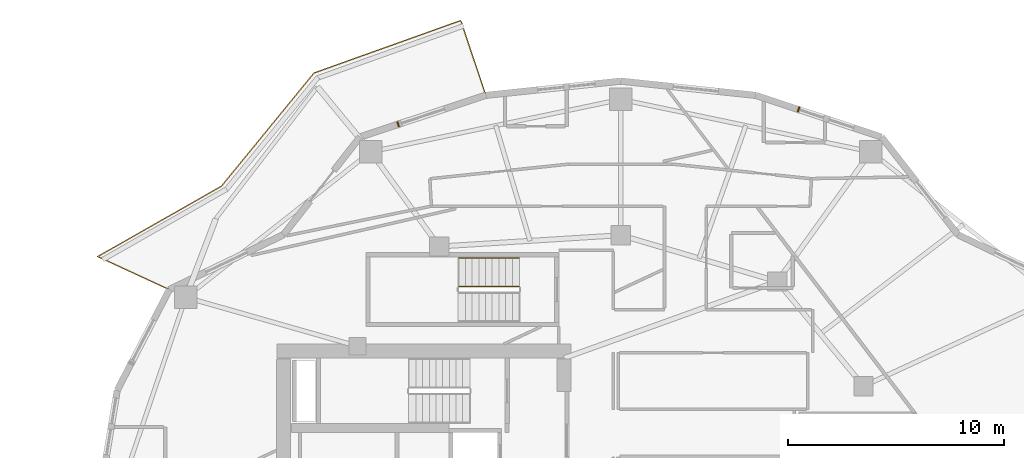
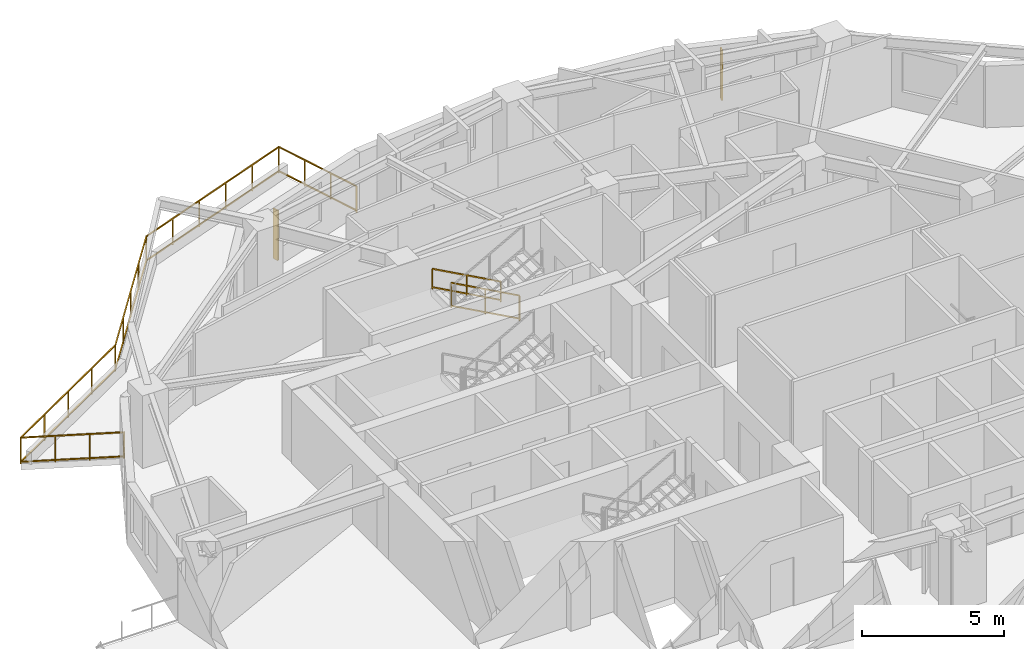
# One storey, part 14 of 14: 3 railings, 2 shading devices.
"""IFC4 building model written with IfcOpenShell, lengths in metres."""

from ifc_helpers import new_model, si_unit, direction, frame, origin, origin_2d, place, context, subcontext, project, spatial, rectangle, extrude, material, type_object, element, save


model = new_model("IFC4")

# Units and contexts
model_context = context("Model", 3, precision=1e-05, world=origin(), true_north=direction((0.0, 1.0)))
body_context = subcontext(model_context, "Body", "Model", "MODEL_VIEW")
ifc_project = project(units=[si_unit("LENGTHUNIT", "METRE"), si_unit("AREAUNIT", "SQUARE_METRE"), si_unit("VOLUMEUNIT", "CUBIC_METRE"), si_unit("PLANEANGLEUNIT", "RADIAN"), si_unit("MASSUNIT", "GRAM", prefix="KILO")], contexts=[model_context])

# Site, building, storey
site_placement = place(None, origin())
site = spatial("IfcSite", under=ifc_project, at=site_placement, CompositionType="ELEMENT")
building_placement = place(site_placement, origin())
building = spatial("IfcBuilding", under=site, at=building_placement, Name="Kolvaren Gate Tower and Convention Centre", CompositionType="ELEMENT")
storey_placement = place(building_placement, frame((0.0, 0.0, 118.89990234375)))
storey = spatial("IfcBuildingStorey", under=building, at=storey_placement, Name="L29", CompositionType="ELEMENT", Elevation=118.89990234375)

# Railings
ifc_material_1 = material(Name="Brushed Stainless Steel Grade 316L", Category="steel")
railing_type_1 = type_object("IfcRailingType", Name="ARCH-RL-GUARD-1150", PredefinedType="GUARDRAIL", material=ifc_material_1)
railing_1_placement = place(storey_placement, frame((25.39990234375, 36.830078125, 0.170166015625)))
element("IfcRailing", 1, at=railing_1_placement, inside=storey, type_object=railing_type_1, Name="L29 ST-T3 stair guard 1", PredefinedType="GUARDRAIL", context=body_context, shape_type="SweptSolid", body=[
    extrude(rectangle(XDim=0.048095703125, YDim=0.048095703125, at=origin_2d()), frame((0.0, 0.0, 1.076171875), z_axis=(-0.8767936245, 0.0, 0.480866863109), x_axis=(0.0, -1.0, 0.0)), (0.0, 0.0, 1.0), 3.181884765625),
    extrude(rectangle(XDim=0.048095703125, YDim=0.048095703125, at=origin_2d()), frame((0.0, 0.0, 0.083984375), z_axis=(-0.8767936245, 0.0, 0.480866863109), x_axis=(0.0, -1.0, 0.0)), (0.0, 0.0, 1.0), 3.181884765625),
    extrude(rectangle(XDim=0.0419921875, YDim=0.0419921875, at=origin_2d()), origin(), (0.0, 0.0, 1.0), 1.050048828125),
    extrude(rectangle(XDim=0.0419921875, YDim=0.0419921875, at=origin_2d()), frame((-2.789794921875, 0.0, 1.530029296875)), (0.0, 0.0, 1.0), 1.050048828125),
    extrude(rectangle(XDim=0.0419921875, YDim=0.0419921875, at=origin_2d()), frame((-1.39501953125, 0.0, 0.76513671875)), (0.0, 0.0, 1.0), 1.050048828125),
])
railing_2_placement = place(storey_placement, frame((23.86474609375, 45.690673828125, 0.0)))
element("IfcRailing", 2, at=railing_2_placement, inside=storey, type_object=railing_type_1, Name="Tower L29 Terrace Perimeter Guardrail GR-1", PredefinedType="GUARDRAIL", context=body_context, shape_type="SweptSolid", body=[
    extrude(rectangle(XDim=0.048095703125, YDim=0.048095703125, at=origin_2d()), frame((-0.0087890625, 0.026611328125, 1.1259765625), z_axis=(-0.317588247294, 0.948228719867, 0.0), x_axis=(-0.948228719867, -0.317588247294, 0.0)), (0.0, 0.0, 1.0), 3.603759765625),
    extrude(rectangle(XDim=0.048095703125, YDim=0.048095703125, at=origin_2d()), frame((-0.0087890625, 0.026611328125, 0.083984375), z_axis=(-0.317588247294, 0.948228719867, 0.0), x_axis=(-0.948228719867, -0.317588247294, 0.0)), (0.0, 0.0, 1.0), 3.603759765625),
    extrude(rectangle(XDim=0.048095703125, YDim=0.048095703125, at=origin_2d()), frame((-1.188720703125, 3.4609375, 1.1259765625), z_axis=(-0.941628873241, -0.336652736627, 0.0), x_axis=(0.336652736627, -0.941628873241, 0.0)), (0.0, 0.0, 1.0), 7.17919921875),
    extrude(rectangle(XDim=0.048095703125, YDim=0.048095703125, at=origin_2d()), frame((-1.188720703125, 3.4609375, 0.083984375), z_axis=(-0.941628873241, -0.336652736627, 0.0), x_axis=(0.336652736627, -0.941628873241, 0.0)), (0.0, 0.0, 1.0), 7.17919921875),
    extrude(rectangle(XDim=0.048095703125, YDim=0.048095703125, at=origin_2d()), frame((-7.9931640625, 1.012939453125, 1.1259765625), z_axis=(-0.633002467947, -0.77414977593, 0.0), x_axis=(0.77414977593, -0.633002467947, 0.0)), (0.0, 0.0, 1.0), 6.724365234375),
    extrude(rectangle(XDim=0.048095703125, YDim=0.048095703125, at=origin_2d()), frame((-7.9931640625, 1.012939453125, 0.083984375), z_axis=(-0.633002467947, -0.77414977593, 0.0), x_axis=(0.77414977593, -0.633002467947, 0.0)), (0.0, 0.0, 1.0), 6.724365234375),
    extrude(rectangle(XDim=0.048095703125, YDim=0.048095703125, at=origin_2d()), frame((-12.291748046875, -4.228271484375, 1.1259765625), z_axis=(-0.869196694318, -0.494466486819, 0.0), x_axis=(0.494466486819, -0.869196694318, 0.0)), (0.0, 0.0, 1.0), 6.55029296875),
    extrude(rectangle(XDim=0.048095703125, YDim=0.048095703125, at=origin_2d()), frame((-12.291748046875, -4.228271484375, 0.083984375), z_axis=(-0.869196694318, -0.494466486819, 0.0), x_axis=(0.494466486819, -0.869196694318, 0.0)), (0.0, 0.0, 1.0), 6.55029296875),
    extrude(rectangle(XDim=0.048095703125, YDim=0.048095703125, at=origin_2d()), frame((-17.984130859375, -7.49267578125, 1.1259765625), z_axis=(0.907846116663, -0.419303503993, 0.0), x_axis=(0.419303503993, 0.907846116663, 0.0)), (0.0, 0.0, 1.0), 3.60400390625),
    extrude(rectangle(XDim=0.048095703125, YDim=0.048095703125, at=origin_2d()), frame((-17.984130859375, -7.49267578125, 0.083984375), z_axis=(0.907846116663, -0.419303503993, 0.0), x_axis=(0.419303503993, 0.907846116663, 0.0)), (0.0, 0.0, 1.0), 3.60400390625),
    extrude(rectangle(XDim=0.0419921875, YDim=0.0419921875, at=origin_2d()), origin(), (0.0, 0.0, 1.0), 1.14990234375),
    extrude(rectangle(XDim=0.0419921875, YDim=0.0419921875, at=origin_2d()), frame((-1.162353515625, 3.470458984375, 0.0)), (0.0, 0.0, 1.0), 1.14990234375),
    extrude(rectangle(XDim=0.0419921875, YDim=0.0419921875, at=origin_2d()), frame((-0.387451171875, 1.15673828125, 0.0)), (0.0, 0.0, 1.0), 1.099853515625),
    extrude(rectangle(XDim=0.0419921875, YDim=0.0419921875, at=origin_2d()), frame((-0.77490234375, 2.313720703125, 0.0)), (0.0, 0.0, 1.0), 1.099853515625),
    extrude(rectangle(XDim=0.0419921875, YDim=0.0419921875, at=origin_2d()), frame((-7.975341796875, 1.03466796875, 0.0)), (0.0, 0.0, 1.0), 1.14990234375),
    extrude(rectangle(XDim=0.0419921875, YDim=0.0419921875, at=origin_2d()), frame((-2.52490234375, 2.9833984375, 0.0)), (0.0, 0.0, 1.0), 1.099853515625),
    extrude(rectangle(XDim=0.0419921875, YDim=0.0419921875, at=origin_2d()), frame((-3.887451171875, 2.49609375, 0.0)), (0.0, 0.0, 1.0), 1.099853515625),
    extrude(rectangle(XDim=0.0419921875, YDim=0.0419921875, at=origin_2d()), frame((-5.250244140625, 2.009033203125, 0.0)), (0.0, 0.0, 1.0), 1.099853515625),
    extrude(rectangle(XDim=0.0419921875, YDim=0.0419921875, at=origin_2d()), frame((-6.61279296875, 1.521728515625, 0.0)), (0.0, 0.0, 1.0), 1.099853515625),
    extrude(rectangle(XDim=0.0419921875, YDim=0.0419921875, at=origin_2d()), frame((-12.267333984375, -4.21435546875, 0.0)), (0.0, 0.0, 1.0), 1.14990234375),
    extrude(rectangle(XDim=0.0419921875, YDim=0.0419921875, at=origin_2d()), frame((-9.04833984375, -0.277587890625, 0.0)), (0.0, 0.0, 1.0), 1.099853515625),
    extrude(rectangle(XDim=0.0419921875, YDim=0.0419921875, at=origin_2d()), frame((-10.121337890625, -1.58984375, 0.0)), (0.0, 0.0, 1.0), 1.099853515625),
    extrude(rectangle(XDim=0.0419921875, YDim=0.0419921875, at=origin_2d()), frame((-11.1943359375, -2.902099609375, 0.0)), (0.0, 0.0, 1.0), 1.099853515625),
    extrude(rectangle(XDim=0.0419921875, YDim=0.0419921875, at=origin_2d()), frame((-18.009521484375, -7.48095703125, 0.0)), (0.0, 0.0, 1.0), 1.14990234375),
    extrude(rectangle(XDim=0.0419921875, YDim=0.0419921875, at=origin_2d()), frame((-13.702880859375, -5.031005859375, 0.0)), (0.0, 0.0, 1.0), 1.099853515625),
    extrude(rectangle(XDim=0.0419921875, YDim=0.0419921875, at=origin_2d()), frame((-15.138427734375, -5.84765625, 0.0)), (0.0, 0.0, 1.0), 1.099853515625),
    extrude(rectangle(XDim=0.0419921875, YDim=0.0419921875, at=origin_2d()), frame((-16.573974609375, -6.664306640625, 0.0)), (0.0, 0.0, 1.0), 1.099853515625),
    extrude(rectangle(XDim=0.0419921875, YDim=0.0419921875, at=origin_2d()), frame((-14.686767578125, -9.015625, 0.0)), (0.0, 0.0, 1.0), 1.14990234375),
    extrude(rectangle(XDim=0.0419921875, YDim=0.0419921875, at=origin_2d()), frame((-16.90185546875, -7.992431640625, 0.0)), (0.0, 0.0, 1.0), 1.099853515625),
    extrude(rectangle(XDim=0.0419921875, YDim=0.0419921875, at=origin_2d()), frame((-15.79443359375, -8.504150390625, 0.0)), (0.0, 0.0, 1.0), 1.099853515625),
])
railing_type_2 = type_object("IfcRailingType", Name="ARCH-RL-HANDRAIL-920", PredefinedType="HANDRAIL", material=ifc_material_1)
railing_3_placement = place(storey_placement, frame((25.39990234375, 38.14990234375, 0.170166015625)))
element("IfcRailing", 3, at=railing_3_placement, inside=storey, type_object=railing_type_2, Name="L29 ST-T3 stair handrail 1", PredefinedType="HANDRAIL", context=body_context, shape_type="SweptSolid", body=[
    extrude(rectangle(XDim=0.048095703125, YDim=0.048095703125, at=origin_2d()), frame((0.0, 0.0, 0.8759765625), z_axis=(-0.8767936245, 0.0, 0.480866863109), x_axis=(0.0, -1.0, 0.0)), (0.0, 0.0, 1.0), 3.181884765625),
    extrude(rectangle(XDim=0.048095703125, YDim=0.048095703125, at=origin_2d()), frame((0.0, 0.0, 0.083984375), z_axis=(-0.8767936245, 0.0, 0.480866863109), x_axis=(0.0, -1.0, 0.0)), (0.0, 0.0, 1.0), 3.181884765625),
    extrude(rectangle(XDim=0.0419921875, YDim=0.0419921875, at=origin_2d()), origin(), (0.0, 0.0, 1.0), 0.849853515625),
    extrude(rectangle(XDim=0.0419921875, YDim=0.0419921875, at=origin_2d()), frame((-2.789794921875, 0.0, 1.530029296875)), (0.0, 0.0, 1.0), 0.849853515625),
    extrude(rectangle(XDim=0.0419921875, YDim=0.0419921875, at=origin_2d()), frame((-1.39501953125, 0.0, 0.76513671875)), (0.0, 0.0, 1.0), 0.849853515625),
])

# Shading devices
ifc_material_2 = material(Name="Kiln-Fired Bogota Terracotta Ceramic Louvre Profile", Category="masonry")
shading_device_type = type_object("IfcShadingDeviceType", Name="ARCH-SHD-FIN-180", PredefinedType="JALOUSIE", material=ifc_material_2)
for number, where, z_axis, x_axis, name in (
    (4, (38.369140625, 45.033203125, 0.22021484375), (0.0, 0.0, 1.0), (0.949240081615, -0.314552487599, 0.0), "Ceramic Vertical Brise-Soleil Fin FN-L29-04"),
    (5, (19.7998046875, 44.343505859375, 0.22021484375), (0.0, 0.0, 1.0), (0.949238434609, 0.314557457804, 0.0), "Ceramic Vertical Brise-Soleil Fin FN-L29-07"),
):
    element("IfcShadingDevice", number, at=place(storey_placement, frame(where, z_axis=z_axis, x_axis=x_axis)), inside=storey, type_object=shading_device_type, Name=name, PredefinedType="JALOUSIE", context=body_context, shape_type="SweptSolid", body=[
        extrude(rectangle(XDim=0.06005859375, YDim=0.239990234375, at=origin_2d()), origin(), (0.0, 0.0, 1.0), 2.14990234375),
    ])

save(model, "model.ifc")
